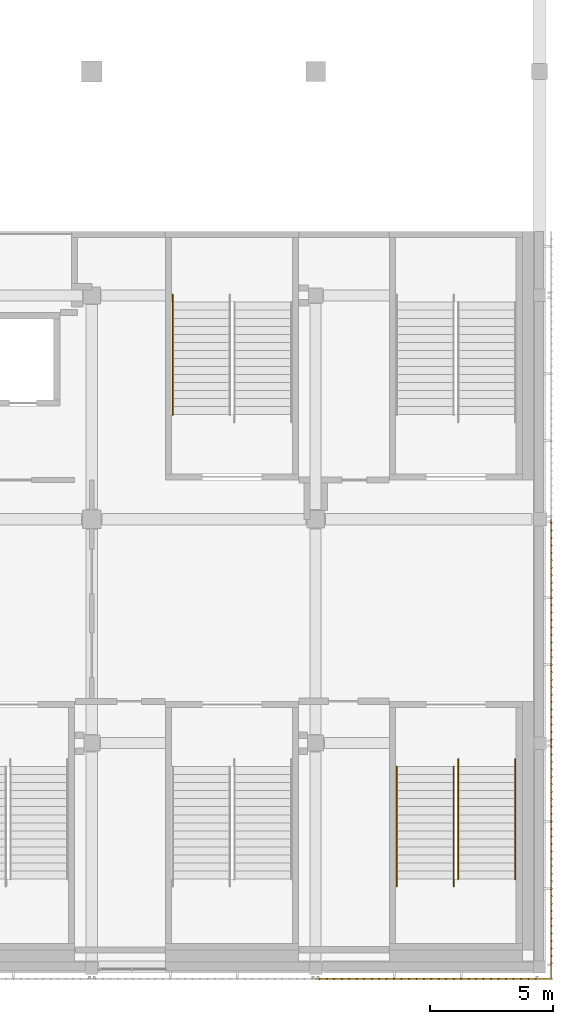
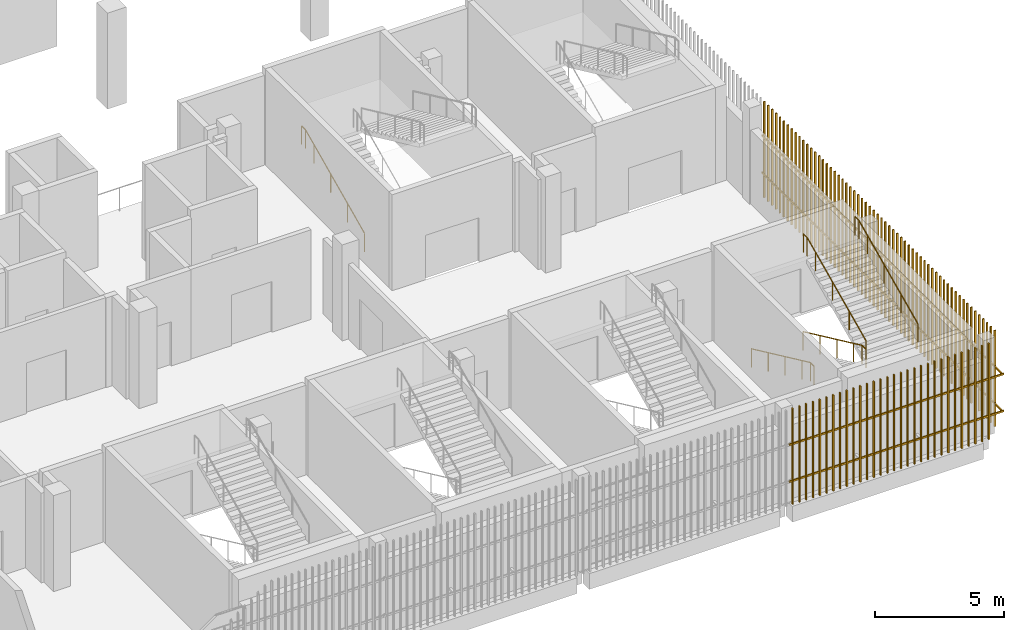
# One storey, part 100 of 104: 5 railings, 3 shading devices.
"""IFC4 building model written with IfcOpenShell, lengths in metres."""

from ifc_helpers import new_model, si_unit, direction, frame, origin, origin_2d, place, context, subcontext, project, spatial, rectangle, circle, extrude, material, type_object, element, save


model = new_model("IFC4")

# Units and contexts
model_context = context("Model", 3, precision=1e-05, world=origin(), true_north=direction((0.0, 1.0)))
body_context = subcontext(model_context, "Body", "Model", "MODEL_VIEW")
ifc_project = project(units=[si_unit("LENGTHUNIT", "METRE"), si_unit("AREAUNIT", "SQUARE_METRE"), si_unit("VOLUMEUNIT", "CUBIC_METRE"), si_unit("PLANEANGLEUNIT", "RADIAN"), si_unit("MASSUNIT", "GRAM", prefix="KILO")], contexts=[model_context])

# Site, building, storey
site_placement = place(None, origin())
site = spatial("IfcSite", under=ifc_project, at=site_placement, CompositionType="ELEMENT")
building_placement = place(site_placement, origin())
building = spatial("IfcBuilding", under=site, at=building_placement, Name="Shirokan Park Arena", CompositionType="ELEMENT")
storey_placement = place(building_placement, frame((0.0, 0.0, 10.919921875)))
storey = spatial("IfcBuildingStorey", under=building, at=storey_placement, Name="L02", CompositionType="ELEMENT", Elevation=10.919921875)

# Railings
ifc_material_1 = material(Name="Stainless steel", Category="steel")
railing_type = type_object("IfcRailingType", Name="Stair handrail 900", PredefinedType="HANDRAIL", material=ifc_material_1)
railing_1_placement = place(storey_placement, frame((139.7900390625, 8.14990234375, 0.15185546875)))
element("IfcRailing", 1, at=railing_1_placement, inside=storey, type_object=railing_type, Name="Handrail Exit Stair 2.A L02 to L03", PredefinedType="HANDRAIL", context=body_context, shape_type="SweptSolid", body=[
    extrude(circle(Radius=0.02392578125, at=origin_2d()), frame((0.0, 0.0, 0.8759765625), z_axis=(0.0, -0.907064445915, 0.420991794405), x_axis=(1.0, 0.0, 0.0)), (0.0, 0.0, 1.0), 1.4404296875),
    extrude(circle(Radius=0.02392578125, at=origin_2d()), frame((0.0, -1.306640625, 1.482421875), z_axis=(0.0, -0.907029769225, 0.421066500378), x_axis=(1.0, 0.0, 0.0)), (0.0, 0.0, 1.0), 1.44091796875),
    extrude(circle(Radius=0.02392578125, at=origin_2d()), frame((0.0, -2.613525390625, 2.0888671875), z_axis=(0.0, -0.907029769225, 0.421066500378), x_axis=(1.0, 0.0, 0.0)), (0.0, 0.0, 1.0), 1.44091796875),
    extrude(circle(Radius=0.02392578125, at=origin_2d()), frame((0.0, -3.92041015625, 2.69580078125), z_axis=(0.0, -0.906934982928, 0.421270621741), x_axis=(1.0, 0.0, 0.0)), (0.0, 0.0, 1.0), 0.720458984375),
    extrude(circle(Radius=0.02392578125, at=origin_2d()), frame((0.0, -4.57373046875, 2.9990234375), z_axis=(0.0, -1.0, 0.0), x_axis=(1.0, 0.0, 0.0)), (0.0, 0.0, 1.0), 0.300048828125),
    extrude(circle(Radius=0.02099609375, at=origin_2d()), origin(), (0.0, 0.0, 1.0), 0.851806640625),
    extrude(circle(Radius=0.02099609375, at=origin_2d()), frame((0.0, -1.306640625, 0.6064453125)), (0.0, 0.0, 1.0), 0.851806640625),
    extrude(circle(Radius=0.02099609375, at=origin_2d()), frame((0.0, -2.613525390625, 1.213134765625)), (0.0, 0.0, 1.0), 0.851806640625),
    extrude(circle(Radius=0.02099609375, at=origin_2d()), frame((0.0, -3.92041015625, 1.81982421875)), (0.0, 0.0, 1.0), 0.851806640625),
    extrude(circle(Radius=0.02099609375, at=origin_2d()), frame((0.0, -4.57373046875, 2.123291015625)), (0.0, 0.0, 1.0), 0.851806640625),
    extrude(circle(Radius=0.02099609375, at=origin_2d()), frame((0.0, -4.873779296875, 2.123291015625)), (0.0, 0.0, 1.0), 0.851806640625),
])
railing_2_placement = place(storey_placement, frame((142.110107421875, 8.14990234375, 0.15185546875)))
element("IfcRailing", 2, at=railing_2_placement, inside=storey, type_object=railing_type, Name="Handrail Exit Stair 2.A L02 to L03", PredefinedType="HANDRAIL", context=body_context, shape_type="SweptSolid", body=[
    extrude(circle(Radius=0.02392578125, at=origin_2d()), frame((0.0, 0.0, 0.8759765625), z_axis=(0.0, -0.907064445915, 0.420991794405), x_axis=(1.0, 0.0, 0.0)), (0.0, 0.0, 1.0), 1.4404296875),
    extrude(circle(Radius=0.02392578125, at=origin_2d()), frame((0.0, -1.306640625, 1.482421875), z_axis=(0.0, -0.907029769225, 0.421066500378), x_axis=(1.0, 0.0, 0.0)), (0.0, 0.0, 1.0), 1.44091796875),
    extrude(circle(Radius=0.02392578125, at=origin_2d()), frame((0.0, -2.613525390625, 2.0888671875), z_axis=(0.0, -0.907029769225, 0.421066500378), x_axis=(1.0, 0.0, 0.0)), (0.0, 0.0, 1.0), 1.44091796875),
    extrude(circle(Radius=0.02392578125, at=origin_2d()), frame((0.0, -3.92041015625, 2.69580078125), z_axis=(0.0, -0.906934982928, 0.421270621741), x_axis=(1.0, 0.0, 0.0)), (0.0, 0.0, 1.0), 0.720458984375),
    extrude(circle(Radius=0.02392578125, at=origin_2d()), frame((0.0, -4.57373046875, 2.9990234375), z_axis=(0.0, -1.0, 0.0), x_axis=(1.0, 0.0, 0.0)), (0.0, 0.0, 1.0), 0.300048828125),
    extrude(circle(Radius=0.02099609375, at=origin_2d()), origin(), (0.0, 0.0, 1.0), 0.851806640625),
    extrude(circle(Radius=0.02099609375, at=origin_2d()), frame((0.0, -1.306640625, 0.6064453125)), (0.0, 0.0, 1.0), 0.851806640625),
    extrude(circle(Radius=0.02099609375, at=origin_2d()), frame((0.0, -2.613525390625, 1.213134765625)), (0.0, 0.0, 1.0), 0.851806640625),
    extrude(circle(Radius=0.02099609375, at=origin_2d()), frame((0.0, -3.92041015625, 1.81982421875)), (0.0, 0.0, 1.0), 0.851806640625),
    extrude(circle(Radius=0.02099609375, at=origin_2d()), frame((0.0, -4.57373046875, 2.123291015625)), (0.0, 0.0, 1.0), 0.851806640625),
    extrude(circle(Radius=0.02099609375, at=origin_2d()), frame((0.0, -4.873779296875, 2.123291015625)), (0.0, 0.0, 1.0), 0.851806640625),
])
railing_3_placement = place(storey_placement, frame((142.2900390625, 3.576171875, 2.4267578125)))
element("IfcRailing", 3, at=railing_3_placement, inside=storey, type_object=railing_type, Name="Handrail Exit Stair 2.A L02 to L03", PredefinedType="HANDRAIL", context=body_context, shape_type="SweptSolid", body=[
    extrude(circle(Radius=0.02392578125, at=origin_2d()), frame((0.0, 0.0, 0.8759765625), z_axis=(0.0, 0.907029769225, 0.421066500378), x_axis=(-1.0, 0.0, 0.0)), (0.0, 0.0, 1.0), 1.44091796875),
    extrude(circle(Radius=0.02392578125, at=origin_2d()), frame((0.0, 1.306884765625, 1.482421875), z_axis=(0.0, 0.906999720516, 0.421131222998), x_axis=(-1.0, 0.0, 0.0)), (0.0, 0.0, 1.0), 1.440673828125),
    extrude(circle(Radius=0.02392578125, at=origin_2d()), frame((0.0, 2.613525390625, 2.08935546875), z_axis=(0.0, 0.907029769225, 0.421066500378), x_axis=(-1.0, 0.0, 0.0)), (0.0, 0.0, 1.0), 1.44091796875),
    extrude(circle(Radius=0.02392578125, at=origin_2d()), frame((0.0, 3.92041015625, 2.69580078125), z_axis=(0.0, 0.907064445915, 0.420991794405), x_axis=(-1.0, 0.0, 0.0)), (0.0, 0.0, 1.0), 0.72021484375),
    extrude(circle(Radius=0.02392578125, at=origin_2d()), frame((0.0, 4.57373046875, 2.9990234375), z_axis=(0.0, 1.0, 0.0), x_axis=(-1.0, 0.0, 0.0)), (0.0, 0.0, 1.0), 0.300048828125),
    extrude(circle(Radius=0.02099609375, at=origin_2d()), origin(), (0.0, 0.0, 1.0), 0.851806640625),
    extrude(circle(Radius=0.02099609375, at=origin_2d()), frame((0.0, 1.306884765625, 0.606689453125)), (0.0, 0.0, 1.0), 0.851806640625),
    extrude(circle(Radius=0.02099609375, at=origin_2d()), frame((0.0, 2.613525390625, 1.21337890625)), (0.0, 0.0, 1.0), 0.851806640625),
    extrude(circle(Radius=0.02099609375, at=origin_2d()), frame((0.0, 3.92041015625, 1.820068359375)), (0.0, 0.0, 1.0), 0.851806640625),
    extrude(circle(Radius=0.02099609375, at=origin_2d()), frame((0.0, 4.57373046875, 2.123291015625)), (0.0, 0.0, 1.0), 0.851806640625),
    extrude(circle(Radius=0.02099609375, at=origin_2d()), frame((0.0, 4.873779296875, 2.123291015625)), (0.0, 0.0, 1.0), 0.851806640625),
])
railing_4_placement = place(storey_placement, frame((144.610107421875, 3.576171875, 2.4267578125)))
element("IfcRailing", 4, at=railing_4_placement, inside=storey, type_object=railing_type, Name="Handrail Exit Stair 2.A L02 to L03", PredefinedType="HANDRAIL", context=body_context, shape_type="SweptSolid", body=[
    extrude(circle(Radius=0.02392578125, at=origin_2d()), frame((0.0, 0.0, 0.8759765625), z_axis=(0.0, 0.907029769225, 0.421066500378), x_axis=(-1.0, 0.0, 0.0)), (0.0, 0.0, 1.0), 1.44091796875),
    extrude(circle(Radius=0.02392578125, at=origin_2d()), frame((0.0, 1.306884765625, 1.482421875), z_axis=(0.0, 0.906999720516, 0.421131222998), x_axis=(-1.0, 0.0, 0.0)), (0.0, 0.0, 1.0), 1.440673828125),
    extrude(circle(Radius=0.02392578125, at=origin_2d()), frame((0.0, 2.613525390625, 2.08935546875), z_axis=(0.0, 0.907029769225, 0.421066500378), x_axis=(-1.0, 0.0, 0.0)), (0.0, 0.0, 1.0), 1.44091796875),
    extrude(circle(Radius=0.02392578125, at=origin_2d()), frame((0.0, 3.92041015625, 2.69580078125), z_axis=(0.0, 0.907064445915, 0.420991794405), x_axis=(-1.0, 0.0, 0.0)), (0.0, 0.0, 1.0), 0.72021484375),
    extrude(circle(Radius=0.02392578125, at=origin_2d()), frame((0.0, 4.57373046875, 2.9990234375), z_axis=(0.0, 1.0, 0.0), x_axis=(-1.0, 0.0, 0.0)), (0.0, 0.0, 1.0), 0.300048828125),
    extrude(circle(Radius=0.02099609375, at=origin_2d()), origin(), (0.0, 0.0, 1.0), 0.851806640625),
    extrude(circle(Radius=0.02099609375, at=origin_2d()), frame((0.0, 1.306884765625, 0.606689453125)), (0.0, 0.0, 1.0), 0.851806640625),
    extrude(circle(Radius=0.02099609375, at=origin_2d()), frame((0.0, 2.613525390625, 1.21337890625)), (0.0, 0.0, 1.0), 0.851806640625),
    extrude(circle(Radius=0.02099609375, at=origin_2d()), frame((0.0, 3.92041015625, 1.820068359375)), (0.0, 0.0, 1.0), 0.851806640625),
    extrude(circle(Radius=0.02099609375, at=origin_2d()), frame((0.0, 4.57373046875, 2.123291015625)), (0.0, 0.0, 1.0), 0.851806640625),
    extrude(circle(Radius=0.02099609375, at=origin_2d()), frame((0.0, 4.873779296875, 2.123291015625)), (0.0, 0.0, 1.0), 0.851806640625),
])
railing_5_placement = place(storey_placement, frame((130.68994140625, 22.449951171875, 0.15185546875)))
element("IfcRailing", 5, at=railing_5_placement, inside=storey, type_object=railing_type, Name="Handrail Exit Stair 2.F L02 to L03", PredefinedType="HANDRAIL", context=body_context, shape_type="SweptSolid", body=[
    extrude(circle(Radius=0.02392578125, at=origin_2d()), frame((0.0, 0.0, 0.8759765625), z_axis=(0.0, 0.907094476872, 0.420927083981), x_axis=(-1.0, 0.0, 0.0)), (0.0, 0.0, 1.0), 1.440673828125),
    extrude(circle(Radius=0.02392578125, at=origin_2d()), frame((0.0, 1.306884765625, 1.482421875), z_axis=(0.0, 0.907029769225, 0.421066500378), x_axis=(-1.0, 0.0, 0.0)), (0.0, 0.0, 1.0), 1.44091796875),
    extrude(circle(Radius=0.02392578125, at=origin_2d()), frame((0.0, 2.61376953125, 2.0888671875), z_axis=(0.0, 0.906999720516, 0.421131222998), x_axis=(-1.0, 0.0, 0.0)), (0.0, 0.0, 1.0), 1.440673828125),
    extrude(circle(Radius=0.02392578125, at=origin_2d()), frame((0.0, 3.92041015625, 2.69580078125), z_axis=(0.0, 0.906934982928, 0.421270621741), x_axis=(-1.0, 0.0, 0.0)), (0.0, 0.0, 1.0), 0.720458984375),
    extrude(circle(Radius=0.02392578125, at=origin_2d()), frame((0.0, 4.57373046875, 2.9990234375), z_axis=(0.0, 1.0, 0.0), x_axis=(-1.0, 0.0, 0.0)), (0.0, 0.0, 1.0), 0.300048828125),
    extrude(circle(Radius=0.02099609375, at=origin_2d()), origin(), (0.0, 0.0, 1.0), 0.851806640625),
    extrude(circle(Radius=0.02099609375, at=origin_2d()), frame((0.0, 1.306884765625, 0.6064453125)), (0.0, 0.0, 1.0), 0.851806640625),
    extrude(circle(Radius=0.02099609375, at=origin_2d()), frame((0.0, 2.61376953125, 1.213134765625)), (0.0, 0.0, 1.0), 0.851806640625),
    extrude(circle(Radius=0.02099609375, at=origin_2d()), frame((0.0, 3.92041015625, 1.81982421875)), (0.0, 0.0, 1.0), 0.851806640625),
    extrude(circle(Radius=0.02099609375, at=origin_2d()), frame((0.0, 4.57373046875, 2.123291015625)), (0.0, 0.0, 1.0), 0.851806640625),
    extrude(circle(Radius=0.02099609375, at=origin_2d()), frame((0.0, 4.873779296875, 2.123291015625)), (0.0, 0.0, 1.0), 0.851806640625),
])

# Shading devices
ifc_material_2 = material(Name="Timber louvre veil (cedar)", Category="wood")
shading_device_type = type_object("IfcShadingDeviceType", Name="Timber louvre veil panel", PredefinedType="JALOUSIE", material=ifc_material_2)
shading_device_1_placement = place(storey_placement, origin())
element("IfcShadingDevice", 6, at=shading_device_1_placement, inside=storey, type_object=shading_device_type, Name="Timber louvre veil south bay 16 L02", PredefinedType="JALOUSIE", context=body_context, shape_type="SweptSolid", body=[
    extrude(rectangle(XDim=0.050048828125, YDim=0.080078125, at=origin_2d()), frame((136.651611328125, -0.485107421875, 0.0), z_axis=(0.0, 0.0, 1.0), x_axis=(1.0, 0.0, 0.0)), (0.0, 0.0, 1.0), 4.550048828125),
    extrude(rectangle(XDim=0.050048828125, YDim=0.080078125, at=origin_2d()), frame((136.955078125, -0.485107421875, 0.0), z_axis=(0.0, 0.0, 1.0), x_axis=(1.0, 0.0, 0.0)), (0.0, 0.0, 1.0), 4.550048828125),
    extrude(rectangle(XDim=0.050048828125, YDim=0.080078125, at=origin_2d()), frame((137.25830078125, -0.485107421875, 0.0), z_axis=(0.0, 0.0, 1.0), x_axis=(1.0, 0.0, 0.0)), (0.0, 0.0, 1.0), 4.550048828125),
    extrude(rectangle(XDim=0.050048828125, YDim=0.080078125, at=origin_2d()), frame((137.561767578125, -0.485107421875, 0.0), z_axis=(0.0, 0.0, 1.0), x_axis=(1.0, 0.0, 0.0)), (0.0, 0.0, 1.0), 4.550048828125),
    extrude(rectangle(XDim=0.050048828125, YDim=0.080078125, at=origin_2d()), frame((137.864990234375, -0.485107421875, 0.0), z_axis=(0.0, 0.0, 1.0), x_axis=(1.0, 0.0, 0.0)), (0.0, 0.0, 1.0), 4.550048828125),
    extrude(rectangle(XDim=0.050048828125, YDim=0.080078125, at=origin_2d()), frame((138.168212890625, -0.485107421875, 0.0), z_axis=(0.0, 0.0, 1.0), x_axis=(1.0, 0.0, 0.0)), (0.0, 0.0, 1.0), 4.550048828125),
    extrude(rectangle(XDim=0.050048828125, YDim=0.080078125, at=origin_2d()), frame((138.4716796875, -0.485107421875, 0.0), z_axis=(0.0, 0.0, 1.0), x_axis=(1.0, 0.0, 0.0)), (0.0, 0.0, 1.0), 4.550048828125),
    extrude(rectangle(XDim=0.050048828125, YDim=0.080078125, at=origin_2d()), frame((138.77490234375, -0.485107421875, 0.0), z_axis=(0.0, 0.0, 1.0), x_axis=(1.0, 0.0, 0.0)), (0.0, 0.0, 1.0), 4.550048828125),
    extrude(rectangle(XDim=0.050048828125, YDim=0.080078125, at=origin_2d()), frame((139.078369140625, -0.485107421875, 0.0), z_axis=(0.0, 0.0, 1.0), x_axis=(1.0, 0.0, 0.0)), (0.0, 0.0, 1.0), 4.550048828125),
    extrude(rectangle(XDim=0.050048828125, YDim=0.080078125, at=origin_2d()), frame((139.381591796875, -0.485107421875, 0.0), z_axis=(0.0, 0.0, 1.0), x_axis=(1.0, 0.0, 0.0)), (0.0, 0.0, 1.0), 4.550048828125),
    extrude(rectangle(XDim=0.050048828125, YDim=0.080078125, at=origin_2d()), frame((139.68505859375, -0.485107421875, 0.0), z_axis=(0.0, 0.0, 1.0), x_axis=(1.0, 0.0, 0.0)), (0.0, 0.0, 1.0), 4.550048828125),
    extrude(rectangle(XDim=0.050048828125, YDim=0.080078125, at=origin_2d()), frame((139.98828125, -0.485107421875, 0.0), z_axis=(0.0, 0.0, 1.0), x_axis=(1.0, 0.0, 0.0)), (0.0, 0.0, 1.0), 4.550048828125),
    extrude(rectangle(XDim=0.050048828125, YDim=0.080078125, at=origin_2d()), frame((140.291748046875, -0.485107421875, 0.0), z_axis=(0.0, 0.0, 1.0), x_axis=(1.0, 0.0, 0.0)), (0.0, 0.0, 1.0), 4.550048828125),
    extrude(rectangle(XDim=0.050048828125, YDim=0.080078125, at=origin_2d()), frame((140.594970703125, -0.485107421875, 0.0), z_axis=(0.0, 0.0, 1.0), x_axis=(1.0, 0.0, 0.0)), (0.0, 0.0, 1.0), 4.550048828125),
    extrude(rectangle(XDim=0.050048828125, YDim=0.080078125, at=origin_2d()), frame((140.8984375, -0.485107421875, 0.0), z_axis=(0.0, 0.0, 1.0), x_axis=(1.0, 0.0, 0.0)), (0.0, 0.0, 1.0), 4.550048828125),
    extrude(rectangle(XDim=0.050048828125, YDim=0.080078125, at=origin_2d()), frame((141.20166015625, -0.485107421875, 0.0), z_axis=(0.0, 0.0, 1.0), x_axis=(1.0, 0.0, 0.0)), (0.0, 0.0, 1.0), 4.550048828125),
    extrude(rectangle(XDim=0.050048828125, YDim=0.080078125, at=origin_2d()), frame((141.5048828125, -0.485107421875, 0.0), z_axis=(0.0, 0.0, 1.0), x_axis=(1.0, 0.0, 0.0)), (0.0, 0.0, 1.0), 4.550048828125),
    extrude(rectangle(XDim=0.050048828125, YDim=0.080078125, at=origin_2d()), frame((141.808349609375, -0.485107421875, 0.0), z_axis=(0.0, 0.0, 1.0), x_axis=(1.0, 0.0, 0.0)), (0.0, 0.0, 1.0), 4.550048828125),
    extrude(rectangle(XDim=0.050048828125, YDim=0.080078125, at=origin_2d()), frame((142.111572265625, -0.485107421875, 0.0), z_axis=(0.0, 0.0, 1.0), x_axis=(1.0, 0.0, 0.0)), (0.0, 0.0, 1.0), 4.550048828125),
    extrude(rectangle(XDim=0.050048828125, YDim=0.080078125, at=origin_2d()), frame((142.4150390625, -0.485107421875, 0.0), z_axis=(0.0, 0.0, 1.0), x_axis=(1.0, 0.0, 0.0)), (0.0, 0.0, 1.0), 4.550048828125),
    extrude(rectangle(XDim=0.050048828125, YDim=0.080078125, at=origin_2d()), frame((142.71826171875, -0.485107421875, 0.0), z_axis=(0.0, 0.0, 1.0), x_axis=(1.0, 0.0, 0.0)), (0.0, 0.0, 1.0), 4.550048828125),
    extrude(rectangle(XDim=0.050048828125, YDim=0.080078125, at=origin_2d()), frame((143.021728515625, -0.485107421875, 0.0), z_axis=(0.0, 0.0, 1.0), x_axis=(1.0, 0.0, 0.0)), (0.0, 0.0, 1.0), 4.550048828125),
    extrude(rectangle(XDim=0.050048828125, YDim=0.080078125, at=origin_2d()), frame((143.324951171875, -0.485107421875, 0.0), z_axis=(0.0, 0.0, 1.0), x_axis=(1.0, 0.0, 0.0)), (0.0, 0.0, 1.0), 4.550048828125),
    extrude(rectangle(XDim=0.050048828125, YDim=0.080078125, at=origin_2d()), frame((143.62841796875, -0.485107421875, 0.0), z_axis=(0.0, 0.0, 1.0), x_axis=(1.0, 0.0, 0.0)), (0.0, 0.0, 1.0), 4.550048828125),
    extrude(rectangle(XDim=0.050048828125, YDim=0.080078125, at=origin_2d()), frame((143.931640625, -0.485107421875, 0.0), z_axis=(0.0, 0.0, 1.0), x_axis=(1.0, 0.0, 0.0)), (0.0, 0.0, 1.0), 4.550048828125),
    extrude(rectangle(XDim=0.050048828125, YDim=0.080078125, at=origin_2d()), frame((144.235107421875, -0.485107421875, 0.0), z_axis=(0.0, 0.0, 1.0), x_axis=(1.0, 0.0, 0.0)), (0.0, 0.0, 1.0), 4.550048828125),
    extrude(rectangle(XDim=0.050048828125, YDim=0.080078125, at=origin_2d()), frame((144.538330078125, -0.485107421875, 0.0), z_axis=(0.0, 0.0, 1.0), x_axis=(1.0, 0.0, 0.0)), (0.0, 0.0, 1.0), 4.550048828125),
    extrude(rectangle(XDim=0.050048828125, YDim=0.080078125, at=origin_2d()), frame((144.841552734375, -0.485107421875, 0.0), z_axis=(0.0, 0.0, 1.0), x_axis=(1.0, 0.0, 0.0)), (0.0, 0.0, 1.0), 4.550048828125),
    extrude(rectangle(XDim=0.050048828125, YDim=0.080078125, at=origin_2d()), frame((145.14501953125, -0.485107421875, 0.0), z_axis=(0.0, 0.0, 1.0), x_axis=(1.0, 0.0, 0.0)), (0.0, 0.0, 1.0), 4.550048828125),
    extrude(rectangle(XDim=0.050048828125, YDim=0.080078125, at=origin_2d()), frame((145.4482421875, -0.485107421875, 0.0), z_axis=(0.0, 0.0, 1.0), x_axis=(1.0, 0.0, 0.0)), (0.0, 0.0, 1.0), 4.550048828125),
    extrude(rectangle(XDim=9.625, YDim=0.050048828125, at=origin_2d()), frame((141.3125, -0.469970703125, 1.06005859375), z_axis=(0.0, 0.0, 1.0), x_axis=(1.0, 0.0, 0.0)), (0.0, 0.0, 1.0), 0.080078125),
    extrude(rectangle(XDim=9.625, YDim=0.050048828125, at=origin_2d()), frame((141.3125, -0.469970703125, 2.81005859375), z_axis=(0.0, 0.0, 1.0), x_axis=(1.0, 0.0, 0.0)), (0.0, 0.0, 1.0), 0.080078125),
])
shading_device_2_placement = place(storey_placement, origin())
element("IfcShadingDevice", 7, at=shading_device_2_placement, inside=storey, type_object=shading_device_type, Name="Timber louvre veil east bay 1 L02", PredefinedType="JALOUSIE", context=body_context, shape_type="SweptSolid", body=[
    extrude(rectangle(XDim=0.050048828125, YDim=0.080078125, at=origin_2d()), frame((146.0849609375, 0.151611328125, 0.0), z_axis=(0.0, 0.0, 1.0), x_axis=(0.0, 1.0, 0.0)), (0.0, 0.0, 1.0), 4.550048828125),
    extrude(rectangle(XDim=0.050048828125, YDim=0.080078125, at=origin_2d()), frame((146.0849609375, 0.455078125, 0.0), z_axis=(0.0, 0.0, 1.0), x_axis=(0.0, 1.0, 0.0)), (0.0, 0.0, 1.0), 4.550048828125),
    extrude(rectangle(XDim=0.050048828125, YDim=0.080078125, at=origin_2d()), frame((146.0849609375, 0.75830078125, 0.0), z_axis=(0.0, 0.0, 1.0), x_axis=(0.0, 1.0, 0.0)), (0.0, 0.0, 1.0), 4.550048828125),
    extrude(rectangle(XDim=0.050048828125, YDim=0.080078125, at=origin_2d()), frame((146.0849609375, 1.061767578125, 0.0), z_axis=(0.0, 0.0, 1.0), x_axis=(0.0, 1.0, 0.0)), (0.0, 0.0, 1.0), 4.550048828125),
    extrude(rectangle(XDim=0.050048828125, YDim=0.080078125, at=origin_2d()), frame((146.0849609375, 1.364990234375, 0.0), z_axis=(0.0, 0.0, 1.0), x_axis=(0.0, 1.0, 0.0)), (0.0, 0.0, 1.0), 4.550048828125),
    extrude(rectangle(XDim=0.050048828125, YDim=0.080078125, at=origin_2d()), frame((146.0849609375, 1.668212890625, 0.0), z_axis=(0.0, 0.0, 1.0), x_axis=(0.0, 1.0, 0.0)), (0.0, 0.0, 1.0), 4.550048828125),
    extrude(rectangle(XDim=0.050048828125, YDim=0.080078125, at=origin_2d()), frame((146.0849609375, 1.9716796875, 0.0), z_axis=(0.0, 0.0, 1.0), x_axis=(0.0, 1.0, 0.0)), (0.0, 0.0, 1.0), 4.550048828125),
    extrude(rectangle(XDim=0.050048828125, YDim=0.080078125, at=origin_2d()), frame((146.0849609375, 2.27490234375, 0.0), z_axis=(0.0, 0.0, 1.0), x_axis=(0.0, 1.0, 0.0)), (0.0, 0.0, 1.0), 4.550048828125),
    extrude(rectangle(XDim=0.050048828125, YDim=0.080078125, at=origin_2d()), frame((146.0849609375, 2.578369140625, 0.0), z_axis=(0.0, 0.0, 1.0), x_axis=(0.0, 1.0, 0.0)), (0.0, 0.0, 1.0), 4.550048828125),
    extrude(rectangle(XDim=0.050048828125, YDim=0.080078125, at=origin_2d()), frame((146.0849609375, 2.881591796875, 0.0), z_axis=(0.0, 0.0, 1.0), x_axis=(0.0, 1.0, 0.0)), (0.0, 0.0, 1.0), 4.550048828125),
    extrude(rectangle(XDim=0.050048828125, YDim=0.080078125, at=origin_2d()), frame((146.0849609375, 3.18505859375, 0.0), z_axis=(0.0, 0.0, 1.0), x_axis=(0.0, 1.0, 0.0)), (0.0, 0.0, 1.0), 4.550048828125),
    extrude(rectangle(XDim=0.050048828125, YDim=0.080078125, at=origin_2d()), frame((146.0849609375, 3.48828125, 0.0), z_axis=(0.0, 0.0, 1.0), x_axis=(0.0, 1.0, 0.0)), (0.0, 0.0, 1.0), 4.550048828125),
    extrude(rectangle(XDim=0.050048828125, YDim=0.080078125, at=origin_2d()), frame((146.0849609375, 3.791748046875, 0.0), z_axis=(0.0, 0.0, 1.0), x_axis=(0.0, 1.0, 0.0)), (0.0, 0.0, 1.0), 4.550048828125),
    extrude(rectangle(XDim=0.050048828125, YDim=0.080078125, at=origin_2d()), frame((146.0849609375, 4.094970703125, 0.0), z_axis=(0.0, 0.0, 1.0), x_axis=(0.0, 1.0, 0.0)), (0.0, 0.0, 1.0), 4.550048828125),
    extrude(rectangle(XDim=0.050048828125, YDim=0.080078125, at=origin_2d()), frame((146.0849609375, 4.3984375, 0.0), z_axis=(0.0, 0.0, 1.0), x_axis=(0.0, 1.0, 0.0)), (0.0, 0.0, 1.0), 4.550048828125),
    extrude(rectangle(XDim=0.050048828125, YDim=0.080078125, at=origin_2d()), frame((146.0849609375, 4.70166015625, 0.0), z_axis=(0.0, 0.0, 1.0), x_axis=(0.0, 1.0, 0.0)), (0.0, 0.0, 1.0), 4.550048828125),
    extrude(rectangle(XDim=0.050048828125, YDim=0.080078125, at=origin_2d()), frame((146.0849609375, 5.0048828125, 0.0), z_axis=(0.0, 0.0, 1.0), x_axis=(0.0, 1.0, 0.0)), (0.0, 0.0, 1.0), 4.550048828125),
    extrude(rectangle(XDim=0.050048828125, YDim=0.080078125, at=origin_2d()), frame((146.0849609375, 5.308349609375, 0.0), z_axis=(0.0, 0.0, 1.0), x_axis=(0.0, 1.0, 0.0)), (0.0, 0.0, 1.0), 4.550048828125),
    extrude(rectangle(XDim=0.050048828125, YDim=0.080078125, at=origin_2d()), frame((146.0849609375, 5.611572265625, 0.0), z_axis=(0.0, 0.0, 1.0), x_axis=(0.0, 1.0, 0.0)), (0.0, 0.0, 1.0), 4.550048828125),
    extrude(rectangle(XDim=0.050048828125, YDim=0.080078125, at=origin_2d()), frame((146.0849609375, 5.9150390625, 0.0), z_axis=(0.0, 0.0, 1.0), x_axis=(0.0, 1.0, 0.0)), (0.0, 0.0, 1.0), 4.550048828125),
    extrude(rectangle(XDim=0.050048828125, YDim=0.080078125, at=origin_2d()), frame((146.0849609375, 6.21826171875, 0.0), z_axis=(0.0, 0.0, 1.0), x_axis=(0.0, 1.0, 0.0)), (0.0, 0.0, 1.0), 4.550048828125),
    extrude(rectangle(XDim=0.050048828125, YDim=0.080078125, at=origin_2d()), frame((146.0849609375, 6.521728515625, 0.0), z_axis=(0.0, 0.0, 1.0), x_axis=(0.0, 1.0, 0.0)), (0.0, 0.0, 1.0), 4.550048828125),
    extrude(rectangle(XDim=0.050048828125, YDim=0.080078125, at=origin_2d()), frame((146.0849609375, 6.824951171875, 0.0), z_axis=(0.0, 0.0, 1.0), x_axis=(0.0, 1.0, 0.0)), (0.0, 0.0, 1.0), 4.550048828125),
    extrude(rectangle(XDim=0.050048828125, YDim=0.080078125, at=origin_2d()), frame((146.0849609375, 7.12841796875, 0.0), z_axis=(0.0, 0.0, 1.0), x_axis=(0.0, 1.0, 0.0)), (0.0, 0.0, 1.0), 4.550048828125),
    extrude(rectangle(XDim=0.050048828125, YDim=0.080078125, at=origin_2d()), frame((146.0849609375, 7.431640625, 0.0), z_axis=(0.0, 0.0, 1.0), x_axis=(0.0, 1.0, 0.0)), (0.0, 0.0, 1.0), 4.550048828125),
    extrude(rectangle(XDim=0.050048828125, YDim=0.080078125, at=origin_2d()), frame((146.0849609375, 7.735107421875, 0.0), z_axis=(0.0, 0.0, 1.0), x_axis=(0.0, 1.0, 0.0)), (0.0, 0.0, 1.0), 4.550048828125),
    extrude(rectangle(XDim=0.050048828125, YDim=0.080078125, at=origin_2d()), frame((146.0849609375, 8.038330078125, 0.0), z_axis=(0.0, 0.0, 1.0), x_axis=(0.0, 1.0, 0.0)), (0.0, 0.0, 1.0), 4.550048828125),
    extrude(rectangle(XDim=0.050048828125, YDim=0.080078125, at=origin_2d()), frame((146.0849609375, 8.341552734375, 0.0), z_axis=(0.0, 0.0, 1.0), x_axis=(0.0, 1.0, 0.0)), (0.0, 0.0, 1.0), 4.550048828125),
    extrude(rectangle(XDim=0.050048828125, YDim=0.080078125, at=origin_2d()), frame((146.0849609375, 8.64501953125, 0.0), z_axis=(0.0, 0.0, 1.0), x_axis=(0.0, 1.0, 0.0)), (0.0, 0.0, 1.0), 4.550048828125),
    extrude(rectangle(XDim=0.050048828125, YDim=0.080078125, at=origin_2d()), frame((146.0849609375, 8.9482421875, 0.0), z_axis=(0.0, 0.0, 1.0), x_axis=(0.0, 1.0, 0.0)), (0.0, 0.0, 1.0), 4.550048828125),
    extrude(rectangle(XDim=9.544921875, YDim=0.050048828125, at=origin_2d()), frame((146.070068359375, 4.327392578125, 1.06005859375), z_axis=(0.0, 0.0, 1.0), x_axis=(0.0, 1.0, 0.0)), (0.0, 0.0, 1.0), 0.080078125),
    extrude(rectangle(XDim=9.544921875, YDim=0.050048828125, at=origin_2d()), frame((146.070068359375, 4.327392578125, 2.81005859375), z_axis=(0.0, 0.0, 1.0), x_axis=(0.0, 1.0, 0.0)), (0.0, 0.0, 1.0), 0.080078125),
])
shading_device_3_placement = place(storey_placement, origin())
element("IfcShadingDevice", 8, at=shading_device_3_placement, inside=storey, type_object=shading_device_type, Name="Timber louvre veil east bay 2 L02", PredefinedType="JALOUSIE", context=body_context, shape_type="SweptSolid", body=[
    extrude(rectangle(XDim=0.050048828125, YDim=0.080078125, at=origin_2d()), frame((146.0849609375, 9.251708984375, 0.0), z_axis=(0.0, 0.0, 1.0), x_axis=(0.0, 1.0, 0.0)), (0.0, 0.0, 1.0), 4.550048828125),
    extrude(rectangle(XDim=0.050048828125, YDim=0.080078125, at=origin_2d()), frame((146.0849609375, 9.554931640625, 0.0), z_axis=(0.0, 0.0, 1.0), x_axis=(0.0, 1.0, 0.0)), (0.0, 0.0, 1.0), 4.550048828125),
    extrude(rectangle(XDim=0.050048828125, YDim=0.080078125, at=origin_2d()), frame((146.0849609375, 9.8583984375, 0.0), z_axis=(0.0, 0.0, 1.0), x_axis=(0.0, 1.0, 0.0)), (0.0, 0.0, 1.0), 4.550048828125),
    extrude(rectangle(XDim=0.050048828125, YDim=0.080078125, at=origin_2d()), frame((146.0849609375, 10.16162109375, 0.0), z_axis=(0.0, 0.0, 1.0), x_axis=(0.0, 1.0, 0.0)), (0.0, 0.0, 1.0), 4.550048828125),
    extrude(rectangle(XDim=0.050048828125, YDim=0.080078125, at=origin_2d()), frame((146.0849609375, 10.465087890625, 0.0), z_axis=(0.0, 0.0, 1.0), x_axis=(0.0, 1.0, 0.0)), (0.0, 0.0, 1.0), 4.550048828125),
    extrude(rectangle(XDim=0.050048828125, YDim=0.080078125, at=origin_2d()), frame((146.0849609375, 10.768310546875, 0.0), z_axis=(0.0, 0.0, 1.0), x_axis=(0.0, 1.0, 0.0)), (0.0, 0.0, 1.0), 4.550048828125),
    extrude(rectangle(XDim=0.050048828125, YDim=0.080078125, at=origin_2d()), frame((146.0849609375, 11.07177734375, 0.0), z_axis=(0.0, 0.0, 1.0), x_axis=(0.0, 1.0, 0.0)), (0.0, 0.0, 1.0), 4.550048828125),
    extrude(rectangle(XDim=0.050048828125, YDim=0.080078125, at=origin_2d()), frame((146.0849609375, 11.375, 0.0), z_axis=(0.0, 0.0, 1.0), x_axis=(0.0, 1.0, 0.0)), (0.0, 0.0, 1.0), 4.550048828125),
    extrude(rectangle(XDim=0.050048828125, YDim=0.080078125, at=origin_2d()), frame((146.0849609375, 11.67822265625, 0.0), z_axis=(0.0, 0.0, 1.0), x_axis=(0.0, 1.0, 0.0)), (0.0, 0.0, 1.0), 4.550048828125),
    extrude(rectangle(XDim=0.050048828125, YDim=0.080078125, at=origin_2d()), frame((146.0849609375, 11.981689453125, 0.0), z_axis=(0.0, 0.0, 1.0), x_axis=(0.0, 1.0, 0.0)), (0.0, 0.0, 1.0), 4.550048828125),
    extrude(rectangle(XDim=0.050048828125, YDim=0.080078125, at=origin_2d()), frame((146.0849609375, 12.284912109375, 0.0), z_axis=(0.0, 0.0, 1.0), x_axis=(0.0, 1.0, 0.0)), (0.0, 0.0, 1.0), 4.550048828125),
    extrude(rectangle(XDim=0.050048828125, YDim=0.080078125, at=origin_2d()), frame((146.0849609375, 12.58837890625, 0.0), z_axis=(0.0, 0.0, 1.0), x_axis=(0.0, 1.0, 0.0)), (0.0, 0.0, 1.0), 4.550048828125),
    extrude(rectangle(XDim=0.050048828125, YDim=0.080078125, at=origin_2d()), frame((146.0849609375, 12.8916015625, 0.0), z_axis=(0.0, 0.0, 1.0), x_axis=(0.0, 1.0, 0.0)), (0.0, 0.0, 1.0), 4.550048828125),
    extrude(rectangle(XDim=0.050048828125, YDim=0.080078125, at=origin_2d()), frame((146.0849609375, 13.195068359375, 0.0), z_axis=(0.0, 0.0, 1.0), x_axis=(0.0, 1.0, 0.0)), (0.0, 0.0, 1.0), 4.550048828125),
    extrude(rectangle(XDim=0.050048828125, YDim=0.080078125, at=origin_2d()), frame((146.0849609375, 13.498291015625, 0.0), z_axis=(0.0, 0.0, 1.0), x_axis=(0.0, 1.0, 0.0)), (0.0, 0.0, 1.0), 4.550048828125),
    extrude(rectangle(XDim=0.050048828125, YDim=0.080078125, at=origin_2d()), frame((146.0849609375, 13.8017578125, 0.0), z_axis=(0.0, 0.0, 1.0), x_axis=(0.0, 1.0, 0.0)), (0.0, 0.0, 1.0), 4.550048828125),
    extrude(rectangle(XDim=0.050048828125, YDim=0.080078125, at=origin_2d()), frame((146.0849609375, 14.10498046875, 0.0), z_axis=(0.0, 0.0, 1.0), x_axis=(0.0, 1.0, 0.0)), (0.0, 0.0, 1.0), 4.550048828125),
    extrude(rectangle(XDim=0.050048828125, YDim=0.080078125, at=origin_2d()), frame((146.0849609375, 14.408447265625, 0.0), z_axis=(0.0, 0.0, 1.0), x_axis=(0.0, 1.0, 0.0)), (0.0, 0.0, 1.0), 4.550048828125),
    extrude(rectangle(XDim=0.050048828125, YDim=0.080078125, at=origin_2d()), frame((146.0849609375, 14.711669921875, 0.0), z_axis=(0.0, 0.0, 1.0), x_axis=(0.0, 1.0, 0.0)), (0.0, 0.0, 1.0), 4.550048828125),
    extrude(rectangle(XDim=0.050048828125, YDim=0.080078125, at=origin_2d()), frame((146.0849609375, 15.014892578125, 0.0), z_axis=(0.0, 0.0, 1.0), x_axis=(0.0, 1.0, 0.0)), (0.0, 0.0, 1.0), 4.550048828125),
    extrude(rectangle(XDim=0.050048828125, YDim=0.080078125, at=origin_2d()), frame((146.0849609375, 15.318359375, 0.0), z_axis=(0.0, 0.0, 1.0), x_axis=(0.0, 1.0, 0.0)), (0.0, 0.0, 1.0), 4.550048828125),
    extrude(rectangle(XDim=0.050048828125, YDim=0.080078125, at=origin_2d()), frame((146.0849609375, 15.62158203125, 0.0), z_axis=(0.0, 0.0, 1.0), x_axis=(0.0, 1.0, 0.0)), (0.0, 0.0, 1.0), 4.550048828125),
    extrude(rectangle(XDim=0.050048828125, YDim=0.080078125, at=origin_2d()), frame((146.0849609375, 15.925048828125, 0.0), z_axis=(0.0, 0.0, 1.0), x_axis=(0.0, 1.0, 0.0)), (0.0, 0.0, 1.0), 4.550048828125),
    extrude(rectangle(XDim=0.050048828125, YDim=0.080078125, at=origin_2d()), frame((146.0849609375, 16.228271484375, 0.0), z_axis=(0.0, 0.0, 1.0), x_axis=(0.0, 1.0, 0.0)), (0.0, 0.0, 1.0), 4.550048828125),
    extrude(rectangle(XDim=0.050048828125, YDim=0.080078125, at=origin_2d()), frame((146.0849609375, 16.53173828125, 0.0), z_axis=(0.0, 0.0, 1.0), x_axis=(0.0, 1.0, 0.0)), (0.0, 0.0, 1.0), 4.550048828125),
    extrude(rectangle(XDim=0.050048828125, YDim=0.080078125, at=origin_2d()), frame((146.0849609375, 16.8349609375, 0.0), z_axis=(0.0, 0.0, 1.0), x_axis=(0.0, 1.0, 0.0)), (0.0, 0.0, 1.0), 4.550048828125),
    extrude(rectangle(XDim=0.050048828125, YDim=0.080078125, at=origin_2d()), frame((146.0849609375, 17.138427734375, 0.0), z_axis=(0.0, 0.0, 1.0), x_axis=(0.0, 1.0, 0.0)), (0.0, 0.0, 1.0), 4.550048828125),
    extrude(rectangle(XDim=0.050048828125, YDim=0.080078125, at=origin_2d()), frame((146.0849609375, 17.441650390625, 0.0), z_axis=(0.0, 0.0, 1.0), x_axis=(0.0, 1.0, 0.0)), (0.0, 0.0, 1.0), 4.550048828125),
    extrude(rectangle(XDim=0.050048828125, YDim=0.080078125, at=origin_2d()), frame((146.0849609375, 17.7451171875, 0.0), z_axis=(0.0, 0.0, 1.0), x_axis=(0.0, 1.0, 0.0)), (0.0, 0.0, 1.0), 4.550048828125),
    extrude(rectangle(XDim=0.050048828125, YDim=0.080078125, at=origin_2d()), frame((146.0849609375, 18.04833984375, 0.0), z_axis=(0.0, 0.0, 1.0), x_axis=(0.0, 1.0, 0.0)), (0.0, 0.0, 1.0), 4.550048828125),
    extrude(rectangle(XDim=9.10009765625, YDim=0.050048828125, at=origin_2d()), frame((146.070068359375, 13.64990234375, 1.06005859375), z_axis=(0.0, 0.0, 1.0), x_axis=(0.0, 1.0, 0.0)), (0.0, 0.0, 1.0), 0.080078125),
    extrude(rectangle(XDim=9.10009765625, YDim=0.050048828125, at=origin_2d()), frame((146.070068359375, 13.64990234375, 2.81005859375), z_axis=(0.0, 0.0, 1.0), x_axis=(0.0, 1.0, 0.0)), (0.0, 0.0, 1.0), 0.080078125),
])

save(model, "model.ifc")
